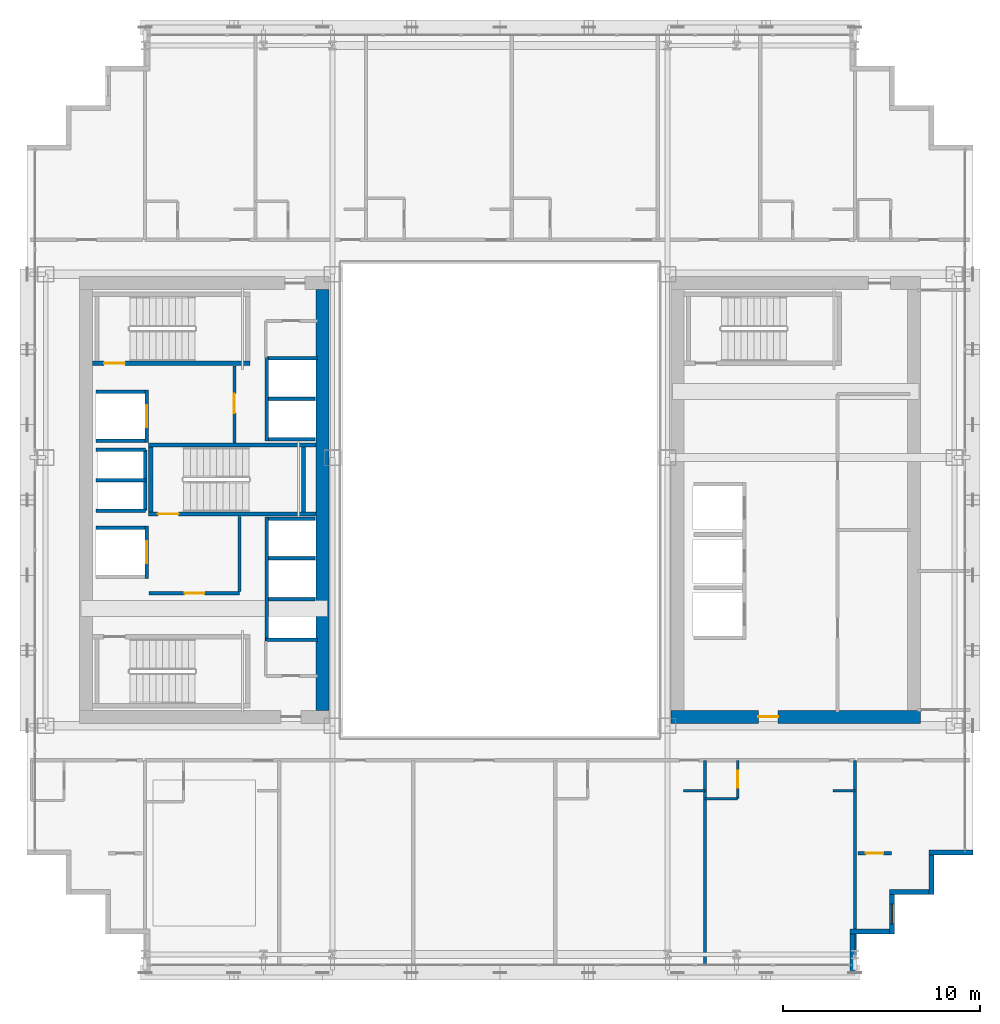
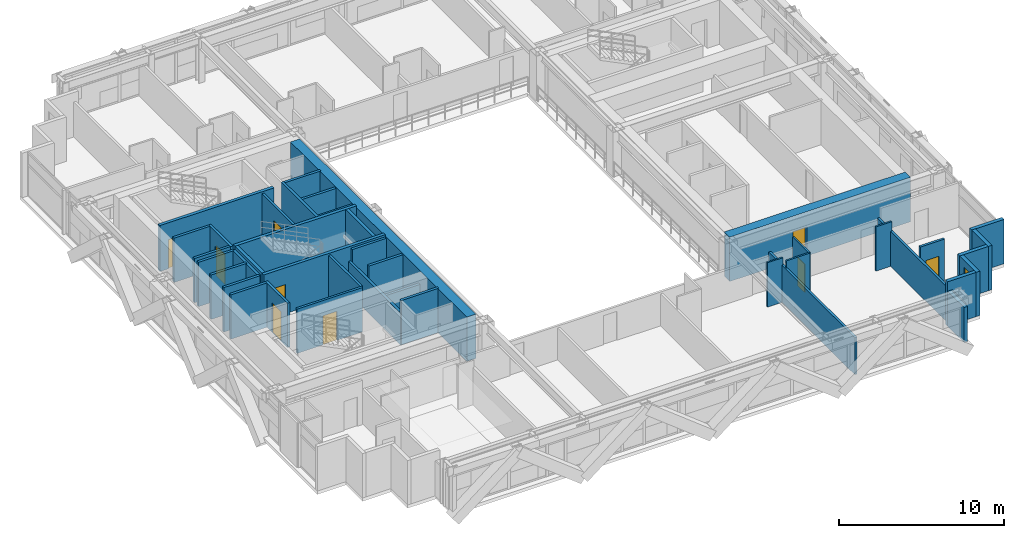
# One storey, part 29 of 36: 41 walls, 9 doors, 1 window, 10 openings.
"""IFC4 building model written with IfcOpenShell, lengths in metres."""

from ifc_helpers import new_model, si_unit, direction, frame, frame_2d, origin, place, context, subcontext, project, spatial, rectangle, extrude, source, transform, mapped, material, layer, layer_set, type_object, element, fill, save


model = new_model("IFC4")

# Units and contexts
model_context = context("Model", 3, precision=1e-05, world=origin(), true_north=direction((0.0, 1.0)))
body_context = subcontext(model_context, "Body", "Model", "MODEL_VIEW")
ifc_project = project(units=[si_unit("LENGTHUNIT", "METRE"), si_unit("AREAUNIT", "SQUARE_METRE"), si_unit("VOLUMEUNIT", "CUBIC_METRE"), si_unit("PLANEANGLEUNIT", "RADIAN"), si_unit("MASSUNIT", "GRAM", prefix="KILO")], contexts=[model_context])

# Site, building, storey
site_placement = place(None, origin())
site = spatial("IfcSite", under=ifc_project, at=site_placement, CompositionType="ELEMENT")
building_placement = place(site_placement, origin())
building = spatial("IfcBuilding", under=site, at=building_placement, Name="Ocotamira Hotel", CompositionType="ELEMENT")
storey_placement = place(building_placement, frame((0.0, 0.0, 147.60009765625)))
storey = spatial("IfcBuildingStorey", under=building, at=storey_placement, Name="L37", CompositionType="ELEMENT", Elevation=147.60009765625)

# Wall
ifc_material_1 = material(Name="Concrete C60/75", Category="concrete")
ifc_layer_1 = layer(ifc_material_1, 0.64990234375)
ifc_layer_set_1 = layer_set([ifc_layer_1], Name="Concrete C60/75")
wall_type_1 = type_object("IfcWallType", Name="WL-CORE-650", PredefinedType="SHEAR", material=ifc_layer_set_1)
wall_1_placement = place(storey_placement, frame((23.0, 15.324951171875, 0.0), z_axis=(0.0, 0.0, 1.0), x_axis=(0.0, 1.0, 0.0)))
element("IfcWall", 1, at=wall_1_placement, inside=storey, type_object=wall_type_1, Name="L37 Shear Core Wall WCORE-E", PredefinedType="SHEAR", context=body_context, shape_type="SweptSolid", body=[
    extrude(rectangle(XDim=21.35009765625, YDim=0.64990234375, at=frame_2d((10.675048828125, 0.0))), origin(), (0.0, 0.0, 1.0), 3.27978515625),
])

# Wall, opening, door
wall_2_placement = place(storey_placement, frame((40.675048828125, 15.0, 0.0), z_axis=(0.0, 0.0, 1.0), x_axis=(1.0, 0.0, 0.0)))
wall_2 = element("IfcWall", 2, at=wall_2_placement, inside=storey, type_object=wall_type_1, Name="L37 Shear Core Wall ECORE-S", PredefinedType="SHEAR", context=body_context, shape_type="SweptSolid", body=[
    extrude(rectangle(XDim=12.64990234375, YDim=0.64990234375, at=frame_2d((6.324951171875, 0.0))), origin(), (0.0, 0.0, 1.0), 3.27978515625),
])
opening_1_placement = place(wall_2_placement, frame((4.425048828125, 0.0, 0.0)))
opening_1 = element("IfcOpeningElement", 3, at=opening_1_placement, cuts=wall_2, Name="Opening D-FR2", PredefinedType="OPENING", context=body_context, shape_type="SweptSolid", body=[
    extrude(rectangle(XDim=1.0, YDim=2.14990234375, at=frame_2d((0.5, 1.074951171875))), frame((0.0, 0.3349609375, 0.0), z_axis=(0.0, -1.0, 0.0), x_axis=(1.0, 0.0, 0.0)), (0.0, 0.0, 1.0), 0.669921875),
])
ifc_material_2 = material(Name="Fire-rated acoustic timber-veneer door", Category="wood")
door_type_1 = type_object("IfcDoorType", Name="DR-FIRE-1000", OperationType="NOTDEFINED", PredefinedType="DOOR", material=ifc_material_2)
shared_shape_1 = source(origin(), body_context, "Body", "SweptSolid", [
    extrude(rectangle(XDim=1.0, YDim=2.14990234375, at=frame_2d((0.5, 1.074951171875))), frame((0.0, 0.02490234375, 0.0), z_axis=(0.0, -1.0, 0.0), x_axis=(1.0, 0.0, 0.0)), (0.0, 0.0, 1.0), 0.050048828125),
])
door_1_placement = place(opening_1_placement, origin())
door_1 = element("IfcDoor", 4, at=door_1_placement, inside=storey, type_object=door_type_1, Name="L37 Door ID-L37-ELOB-S-D [ID-L37-ELOB-S-D]", OperationType="SINGLE_SWING_RIGHT", OverallHeight=2.14990234375, OverallWidth=1.0, PredefinedType="DOOR", context=body_context, shape_type="MappedRepresentation", body=[
    mapped(shared_shape_1, transform((0.0, 0.0, 0.0), scale=1.0)),
])
fill(opening_1, door_1)

# Walls
ifc_material_3 = material(Name="Precast concrete C45/55", Category="concrete")
ifc_layer_2 = layer(ifc_material_3, 0.25)
ifc_layer_set_2 = layer_set([ifc_layer_2], Name="Precast concrete C45/55")
wall_type_2 = type_object("IfcWallType", Name="WL-EXT-SER-250", PredefinedType="SOLIDWALL", material=ifc_layer_set_2)
wall_3_placement = place(storey_placement, frame((49.875, 2.0, 0.0), z_axis=(0.0, 0.0, 1.0), x_axis=(0.0, 1.0, 0.0)))
element("IfcWall", 5, at=wall_3_placement, inside=storey, type_object=wall_type_2, Name="L37 Serrated Corner Wall 01", PredefinedType="SOLIDWALL", context=body_context, shape_type="SweptSolid", body=[
    extrude(rectangle(XDim=2.0, YDim=0.25, at=frame_2d((1.0, 0.0))), origin(), (0.0, 0.0, 1.0), 2.5869140625),
])
wall_4_placement = place(storey_placement, frame((49.75, 4.125, 0.0), z_axis=(0.0, 0.0, 1.0), x_axis=(1.0, 0.0, 0.0)))
element("IfcWall", 6, at=wall_4_placement, inside=storey, type_object=wall_type_2, Name="L37 Serrated Corner Wall 02", PredefinedType="SOLIDWALL", context=body_context, shape_type="SweptSolid", body=[
    extrude(rectangle(XDim=2.0, YDim=0.25, at=frame_2d((1.0, 0.0))), origin(), (0.0, 0.0, 1.0), 3.27978515625),
])

# Wall, opening, window
wall_5_placement = place(storey_placement, frame((51.875, 4.0, 0.0), z_axis=(0.0, 0.0, 1.0), x_axis=(0.0, 1.0, 0.0)))
wall_5 = element("IfcWall", 7, at=wall_5_placement, inside=storey, type_object=wall_type_2, Name="L37 Serrated Corner Wall 03", PredefinedType="SOLIDWALL", context=body_context, shape_type="SweptSolid", body=[
    extrude(rectangle(XDim=2.0, YDim=0.25, at=frame_2d((1.0, 0.0))), origin(), (0.0, 0.0, 1.0), 3.27978515625),
])
opening_2_placement = place(wall_5_placement, frame((0.5, 0.0, 0.85009765625)))
opening_2 = element("IfcOpeningElement", 8, at=opening_2_placement, cuts=wall_5, Name="Opening WN-2", PredefinedType="OPENING", context=body_context, shape_type="SweptSolid", body=[
    extrude(rectangle(XDim=1.0, YDim=1.89990234375, at=frame_2d((0.5, 0.949951171875))), frame((0.0, 0.135009765625, 0.0), z_axis=(0.0, -1.0, 0.0), x_axis=(1.0, 0.0, 0.0)), (0.0, 0.0, 1.0), 0.27001953125),
])
ifc_material_4 = material(Name="Double-silver low-E solar glass", Category="glass")
window_type = type_object("IfcWindowType", Name="WIN-SER-1100", PartitioningType="SINGLE_PANEL", PredefinedType="WINDOW", material=ifc_material_4)
shared_shape_2 = source(origin(), body_context, "Body", "SweptSolid", [
    extrude(rectangle(XDim=1.0, YDim=1.89990234375, at=frame_2d((0.5, 0.949951171875))), frame((0.0, 0.030029296875, 0.0), z_axis=(0.0, -1.0, 0.0), x_axis=(1.0, 0.0, 0.0)), (0.0, 0.0, 1.0), 0.06005859375),
])
window_placement = place(opening_2_placement, origin())
window = element("IfcWindow", 9, at=window_placement, inside=storey, type_object=window_type, Name="L37 Serrated Corner Window 03", OverallHeight=1.89990234375, OverallWidth=1.0, PartitioningType="SINGLE_PANEL", PredefinedType="WINDOW", context=body_context, shape_type="MappedRepresentation", body=[
    mapped(shared_shape_2, transform((0.0, 0.0, 0.0), scale=1.0)),
])
fill(opening_2, window)

# Walls
for number, where, z_axis, x_axis, name in (
    (10, (51.75, 6.125, 0.0), (0.0, 0.0, 1.0), (1.0, 0.0, 0.0), "L37 Serrated Corner Wall 04"),
    (11, (53.875, 6.0, 0.0), (0.0, 0.0, 1.0), (0.0, 1.0, 0.0), "L37 Serrated Corner Wall 05"),
):
    element("IfcWall", number, at=place(storey_placement, frame(where, z_axis=z_axis, x_axis=x_axis)), inside=storey, type_object=wall_type_2, Name=name, PredefinedType="SOLIDWALL", context=body_context, shape_type="SweptSolid", body=[
        extrude(rectangle(XDim=2.0, YDim=0.25, at=frame_2d((1.0, 0.0))), origin(), (0.0, 0.0, 1.0), 3.27978515625),
    ])
wall_6_placement = place(storey_placement, frame((53.75, 8.125, 0.0), z_axis=(0.0, 0.0, 1.0), x_axis=(1.0, 0.0, 0.0)))
element("IfcWall", 12, at=wall_6_placement, inside=storey, type_object=wall_type_2, Name="L37 Serrated Corner Wall 06", PredefinedType="SOLIDWALL", context=body_context, shape_type="SweptSolid", body=[
    extrude(rectangle(XDim=2.25, YDim=0.25, at=frame_2d((1.125, 0.0))), origin(), (0.0, 0.0, 1.0), 3.27978515625),
])

# Wall, opening, door
ifc_material_5 = material(Name="Acoustic double-layer fire gypsum board partition", Category="gypsum")
ifc_layer_3 = layer(ifc_material_5, 0.159912109375)
ifc_layer_set_3 = layer_set([ifc_layer_3], Name="Acoustic double-layer fire gypsum board partition")
wall_type_3 = type_object("IfcWallType", Name="WL-FIRE-160", PredefinedType="PARTITIONING", material=ifc_layer_set_3)
wall_7_placement = place(storey_placement, frame((14.199951171875, 21.27001953125, 0.0), z_axis=(0.0, 0.0, 1.0), x_axis=(1.0, 0.0, 0.0)))
wall_7 = element("IfcWall", 13, at=wall_7_placement, inside=storey, type_object=wall_type_3, Name="L37 Interior Wall PW-L37-FSAE1-S", PredefinedType="PARTITIONING", context=body_context, shape_type="SweptSolid", body=[
    extrude(rectangle(XDim=4.580078125, YDim=0.159912109375, at=frame_2d((2.2900390625, 0.0))), origin(), (0.0, 0.0, 1.0), 3.27978515625),
])
opening_3_placement = place(wall_7_placement, frame((1.800048828125, 0.0, 0.0)))
opening_3 = element("IfcOpeningElement", 14, at=opening_3_placement, cuts=wall_7, Name="Opening D-FR2", PredefinedType="OPENING", context=body_context, shape_type="SweptSolid", body=[
    extrude(rectangle(XDim=1.0, YDim=2.14990234375, at=frame_2d((0.5, 1.074951171875))), frame((0.0, 0.08984375, 0.0), z_axis=(0.0, -1.0, 0.0), x_axis=(1.0, 0.0, 0.0)), (0.0, 0.0, 1.0), 0.179931640625),
])
door_2_placement = place(opening_3_placement, origin())
door_2 = element("IfcDoor", 15, at=door_2_placement, inside=storey, type_object=door_type_1, Name="L37 Door ID-L37-FSAE1-D [ID-L37-FSAE1-D]", OperationType="SINGLE_SWING_LEFT", OverallHeight=2.14990234375, OverallWidth=1.0, PredefinedType="DOOR", context=body_context, shape_type="MappedRepresentation", body=[
    mapped(shared_shape_1, transform((0.0, 0.0, 0.0), scale=1.0)),
])
fill(opening_3, door_2)

# Wall
wall_8_placement = place(storey_placement, frame((18.780029296875, 21.35009765625, 0.0), z_axis=(0.0, 0.0, 1.0), x_axis=(0.0, 1.0, 0.0)))
element("IfcWall", 16, at=wall_8_placement, inside=storey, type_object=wall_type_3, Name="L37 Interior Wall PW-L37-FSAE1-E", PredefinedType="PARTITIONING", context=body_context, shape_type="SweptSolid", body=[
    extrude(rectangle(XDim=3.809814453125, YDim=0.159912109375, at=frame_2d((1.90478515625, 0.0))), origin(), (0.0, 0.0, 1.0), 3.27978515625),
])

# Wall, opening, door
wall_9_placement = place(storey_placement, frame((18.530029296875, 28.89990234375, 0.0), z_axis=(0.0, 0.0, 1.0), x_axis=(0.0, 1.0, 0.0)))
wall_9 = element("IfcWall", 17, at=wall_9_placement, inside=storey, type_object=wall_type_3, Name="L37 Interior Wall PW-L37-FSAE2-E", PredefinedType="PARTITIONING", context=body_context, shape_type="SweptSolid", body=[
    extrude(rectangle(XDim=3.900146484375, YDim=0.159912109375, at=frame_2d((1.9501953125, 0.0))), origin(), (0.0, 0.0, 1.0), 3.27978515625),
])
opening_4_placement = place(wall_9_placement, frame((1.5, 0.0, 0.0)))
opening_4 = element("IfcOpeningElement", 18, at=opening_4_placement, cuts=wall_9, Name="Opening D-FR2", PredefinedType="OPENING", context=body_context, shape_type="SweptSolid", body=[
    extrude(rectangle(XDim=1.0, YDim=2.14990234375, at=frame_2d((0.5, 1.074951171875))), frame((0.0, 0.08984375, 0.0), z_axis=(0.0, -1.0, 0.0), x_axis=(1.0, 0.0, 0.0)), (0.0, 0.0, 1.0), 0.179931640625),
])
door_3_placement = place(opening_4_placement, origin())
door_3 = element("IfcDoor", 19, at=door_3_placement, inside=storey, type_object=door_type_1, Name="L37 Door ID-L37-FSAE2-D [ID-L37-FSAE2-D]", OperationType="SINGLE_SWING_RIGHT", OverallHeight=2.14990234375, OverallWidth=1.0, PredefinedType="DOOR", context=body_context, shape_type="MappedRepresentation", body=[
    mapped(shared_shape_1, transform((0.0, 0.0, 0.0), scale=1.0)),
])
fill(opening_4, door_3)

wall_10_placement = place(storey_placement, frame((50.14990234375, 8.080078125, 0.0), z_axis=(0.0, 0.0, 1.0), x_axis=(1.0, 0.0, 0.0)))
wall_10 = element("IfcWall", 20, at=wall_10_placement, inside=storey, type_object=wall_type_3, Name="L37 Interior Wall PW-L37-Z2E-CSE2-CW", PredefinedType="PARTITIONING", context=body_context, shape_type="SweptSolid", body=[
    extrude(rectangle(XDim=1.7001953125, YDim=0.159912109375, at=frame_2d((0.85009765625, 0.0))), origin(), (0.0, 0.0, 1.0), 3.27978515625),
])
opening_5_placement = place(wall_10_placement, frame((0.409912109375, 0.0, 0.0)))
opening_5 = element("IfcOpeningElement", 21, at=opening_5_placement, cuts=wall_10, Name="Opening D-SV2", PredefinedType="OPENING", context=body_context, shape_type="SweptSolid", body=[
    extrude(rectangle(XDim=0.8798828125, YDim=2.14990234375, at=frame_2d((0.43994140625, 1.074951171875))), frame((0.0, 0.08984375, 0.0), z_axis=(0.0, -1.0, 0.0), x_axis=(1.0, 0.0, 0.0)), (0.0, 0.0, 1.0), 0.179931640625),
])
ifc_material_6 = material(Name="Fire-rated painted steel service door", Category="steel")
door_type_2 = type_object("IfcDoorType", Name="DR-SERV-880", OperationType="NOTDEFINED", PredefinedType="DOOR", material=ifc_material_6)
shared_shape_3 = source(origin(), body_context, "Body", "SweptSolid", [
    extrude(rectangle(XDim=0.8798828125, YDim=2.14990234375, at=frame_2d((0.43994140625, 1.074951171875))), frame((0.0, 0.02490234375, 0.0), z_axis=(0.0, -1.0, 0.0), x_axis=(1.0, 0.0, 0.0)), (0.0, 0.0, 1.0), 0.050048828125),
])
door_4_placement = place(opening_5_placement, origin())
door_4 = element("IfcDoor", 22, at=door_4_placement, inside=storey, type_object=door_type_2, Name="L37 Door ID-L37-Z2E-CSE2-CD [ID-L37-Z2E-CSE2-CD]", OperationType="SINGLE_SWING_LEFT", OverallHeight=2.14990234375, OverallWidth=0.8798828125, PredefinedType="DOOR", context=body_context, shape_type="MappedRepresentation", body=[
    mapped(shared_shape_3, transform((0.0, 0.0, 0.0), scale=1.0)),
])
fill(opening_5, door_4)

# Wall
ifc_material_7 = material(Name="Moisture-resistant en-suite tile and gypsum partition", Category="gypsum")
ifc_layer_4 = layer(ifc_material_7, 0.1201171875)
ifc_layer_set_4 = layer_set([ifc_layer_4], Name="Moisture-resistant en-suite tile and gypsum partition")
wall_type_4 = type_object("IfcWallType", Name="WL-PART-120", PredefinedType="PARTITIONING", material=ifc_layer_set_4)
wall_11_placement = place(storey_placement, frame((41.300048828125, 11.25, 0.0), z_axis=(0.0, 0.0, 1.0), x_axis=(1.0, 0.0, 0.0)))
element("IfcWall", 23, at=wall_11_placement, inside=storey, type_object=wall_type_4, Name="L37 Interior Wall PW-L37-Z2ES-DRN4", PredefinedType="PARTITIONING", context=body_context, shape_type="SweptSolid", body=[
    extrude(rectangle(XDim=1.099853515625, YDim=0.1201171875, at=frame_2d((0.5498046875, 0.0))), origin(), (0.0, 0.0, 1.0), 3.27978515625),
])

# Wall, opening, door
wall_12_placement = place(storey_placement, frame((44.050048828125, 10.85009765625, 0.0), z_axis=(0.0, 0.0, 1.0), x_axis=(0.0, 1.0, 0.0)))
wall_12 = element("IfcWall", 24, at=wall_12_placement, inside=storey, type_object=wall_type_4, Name="L37 Interior Wall PW-L37-Z2ES-BAE5", PredefinedType="PARTITIONING", context=body_context, shape_type="SweptSolid", body=[
    extrude(rectangle(XDim=1.949951171875, YDim=0.1201171875, at=frame_2d((0.97509765625, 0.0))), origin(), (0.0, 0.0, 1.0), 3.27978515625),
])
opening_6_placement = place(wall_12_placement, frame((0.544921875, 0.0, 0.0)))
opening_6 = element("IfcOpeningElement", 25, at=opening_6_placement, cuts=wall_12, Name="Opening D-BA1", PredefinedType="OPENING", context=body_context, shape_type="SweptSolid", body=[
    extrude(rectangle(XDim=0.860107421875, YDim=2.10009765625, at=frame_2d((0.43017578125, 1.050048828125))), frame((0.0, 0.070068359375, 0.0), z_axis=(0.0, -1.0, 0.0), x_axis=(1.0, 0.0, 0.0)), (0.0, 0.0, 1.0), 0.14013671875),
])
ifc_material_8 = material(Name="Moisture-sealed en-suite timber door", Category="wood")
door_type_3 = type_object("IfcDoorType", Name="DR-BATH-860", OperationType="NOTDEFINED", PredefinedType="DOOR", material=ifc_material_8)
shared_shape_4 = source(origin(), body_context, "Body", "SweptSolid", [
    extrude(rectangle(XDim=0.860107421875, YDim=2.10009765625, at=frame_2d((0.43017578125, 1.050048828125))), frame((0.0, 0.02490234375, 0.0), z_axis=(0.0, -1.0, 0.0), x_axis=(1.0, 0.0, 0.0)), (0.0, 0.0, 1.0), 0.050048828125),
])
door_5_placement = place(opening_6_placement, origin())
door_5 = element("IfcDoor", 26, at=door_5_placement, inside=storey, type_object=door_type_3, Name="L37 Door ID-L37-Z2ES-BAD5 [ID-L37-Z2ES-BAD5]", OperationType="SINGLE_SWING_RIGHT", OverallHeight=2.10009765625, OverallWidth=0.860107421875, PredefinedType="DOOR", context=body_context, shape_type="MappedRepresentation", body=[
    mapped(shared_shape_4, transform((0.0, 0.0, 0.0), scale=1.0)),
])
fill(opening_6, door_5)

# Walls
wall_13_placement = place(storey_placement, frame((42.39990234375, 10.85009765625, 0.0), z_axis=(0.0, 0.0, 1.0), x_axis=(1.0, 0.0, 0.0)))
element("IfcWall", 27, at=wall_13_placement, inside=storey, type_object=wall_type_4, Name="L37 Interior Wall PW-L37-Z2ES-BAS5", PredefinedType="PARTITIONING", context=body_context, shape_type="SweptSolid", body=[
    extrude(rectangle(XDim=1.650146484375, YDim=0.1201171875, at=frame_2d((0.8251953125, 0.0))), origin(), (0.0, 0.0, 1.0), 3.27978515625),
])
wall_14_placement = place(storey_placement, frame((48.89990234375, 11.25, 0.0), z_axis=(0.0, 0.0, 1.0), x_axis=(1.0, 0.0, 0.0)))
element("IfcWall", 28, at=wall_14_placement, inside=storey, type_object=wall_type_4, Name="L37 Interior Wall PW-L37-Z2ES-DRN5", PredefinedType="PARTITIONING", context=body_context, shape_type="SweptSolid", body=[
    extrude(rectangle(XDim=1.10009765625, YDim=0.1201171875, at=frame_2d((0.550048828125, 0.0))), origin(), (0.0, 0.0, 1.0), 3.27978515625),
])
ifc_material_9 = material(Name="Acoustic double-stud hospitality gypsum partition", Category="gypsum")
ifc_layer_5 = layer(ifc_material_9, 0.159912109375)
ifc_layer_set_5 = layer_set([ifc_layer_5], Name="Acoustic double-stud hospitality gypsum partition")
wall_type_5 = type_object("IfcWallType", Name="WL-PART-160", PredefinedType="PARTITIONING", material=ifc_layer_set_5)
wall_15_placement = place(storey_placement, frame((50.0, 2.360107421875, 0.0), z_axis=(0.0, 0.0, 1.0), x_axis=(0.0, 1.0, 0.0)))
element("IfcWall", 29, at=wall_15_placement, inside=storey, type_object=wall_type_5, Name="L37 Interior Wall PW-L37-Z2ES-PWEND", PredefinedType="PARTITIONING", context=body_context, shape_type="SweptSolid", body=[
    extrude(rectangle(XDim=10.43994140625, YDim=0.159912109375, at=frame_2d((5.219970703125, 0.0))), origin(), (0.0, 0.0, 1.0), 2.5869140625),
])
wall_16_placement = place(storey_placement, frame((42.39990234375, 2.360107421875, 0.0), z_axis=(0.0, 0.0, 1.0), x_axis=(0.0, 1.0, 0.0)))
element("IfcWall", 30, at=wall_16_placement, inside=storey, type_object=wall_type_5, Name="L37 Interior Wall PW-L37-Z2ES-PW4", PredefinedType="PARTITIONING", context=body_context, shape_type="SweptSolid", body=[
    extrude(rectangle(XDim=10.43994140625, YDim=0.159912109375, at=frame_2d((5.219970703125, 0.0))), origin(), (0.0, 0.0, 1.0), 2.742919921875),
])
ifc_material_10 = material(Name="Fire-rated gypsum shaftliner board assembly", Category="gypsum")
ifc_layer_6 = layer(ifc_material_10, 0.179931640625)
ifc_layer_set_6 = layer_set([ifc_layer_6], Name="Fire-rated gypsum shaftliner board assembly")
wall_type_6 = type_object("IfcWallType", Name="WL-SHAFT-180", PredefinedType="SOLIDWALL", material=ifc_layer_set_6)
wall_17_placement = place(storey_placement, frame((20.159912109375, 18.820068359375, 0.0), z_axis=(0.0, 0.0, 1.0), x_axis=(0.0, 1.0, 0.0)))
element("IfcWall", 31, at=wall_17_placement, inside=storey, type_object=wall_type_6, Name="L37 Interior Wall PW-L37-LFW-BANK-high-F", PredefinedType="SOLIDWALL", context=body_context, shape_type="SweptSolid", body=[
    extrude(rectangle(XDim=6.31982421875, YDim=0.179931640625, at=frame_2d((3.159912109375, 0.0))), origin(), (0.0, 0.0, 1.0), 2.35986328125),
])
wall_18_placement = place(storey_placement, frame((20.1201171875, 18.909912109375, 0.0), z_axis=(0.0, 0.0, 1.0), x_axis=(1.0, 0.0, 0.0)))
element("IfcWall", 32, at=wall_18_placement, inside=storey, type_object=wall_type_6, Name="L37 Interior Wall PW-L37-LFW-BANK-high-S", PredefinedType="SOLIDWALL", context=body_context, shape_type="SweptSolid", body=[
    extrude(rectangle(XDim=2.6298828125, YDim=0.179931640625, at=frame_2d((1.31494140625, 0.0))), origin(), (0.0, 0.0, 1.0), 3.27978515625),
])
wall_19_placement = place(storey_placement, frame((20.25, 25.050048828125, 0.0), z_axis=(0.0, 0.0, 1.0), x_axis=(1.0, 0.0, 0.0)))
element("IfcWall", 33, at=wall_19_placement, inside=storey, type_object=wall_type_6, Name="L37 Interior Wall PW-L37-LFW-BANK-high-N", PredefinedType="SOLIDWALL", context=body_context, shape_type="SweptSolid", body=[
    extrude(rectangle(XDim=2.360107421875, YDim=0.179931640625, at=frame_2d((1.18017578125, 0.0))), origin(), (0.0, 0.0, 1.0), 3.27978515625),
])
wall_20_placement = place(storey_placement, frame((20.25, 20.965087890625, 0.0), z_axis=(0.0, 0.0, 1.0), x_axis=(1.0, 0.0, 0.0)))
element("IfcWall", 34, at=wall_20_placement, inside=storey, type_object=wall_type_6, Name="L37 Interior Wall PW-L37-LFW-DIV-LF-P7", PredefinedType="SOLIDWALL", context=body_context, shape_type="SweptSolid", body=[
    extrude(rectangle(XDim=2.360107421875, YDim=0.179931640625, at=frame_2d((1.18017578125, 0.0))), origin(), (0.0, 0.0, 1.0), 2.35986328125),
])
wall_21_placement = place(storey_placement, frame((20.25, 23.044921875, 0.0), z_axis=(0.0, 0.0, 1.0), x_axis=(1.0, 0.0, 0.0)))
element("IfcWall", 35, at=wall_21_placement, inside=storey, type_object=wall_type_6, Name="L37 Interior Wall PW-L37-LFW-DIV-LF-P8", PredefinedType="SOLIDWALL", context=body_context, shape_type="SweptSolid", body=[
    extrude(rectangle(XDim=2.360107421875, YDim=0.179931640625, at=frame_2d((1.18017578125, 0.0))), origin(), (0.0, 0.0, 1.0), 3.27978515625),
])
wall_22_placement = place(storey_placement, frame((20.159912109375, 29.0, 0.0), z_axis=(0.0, 0.0, 1.0), x_axis=(0.0, 1.0, 0.0)))
element("IfcWall", 36, at=wall_22_placement, inside=storey, type_object=wall_type_6, Name="L37 Interior Wall PW-L37-LFW-BANK-obs-F", PredefinedType="SOLIDWALL", context=body_context, shape_type="SweptSolid", body=[
    extrude(rectangle(XDim=4.2900390625, YDim=0.179931640625, at=frame_2d((2.14501953125, 0.0))), origin(), (0.0, 0.0, 1.0), 3.27978515625),
])
wall_23_placement = place(storey_placement, frame((20.25, 29.090087890625, 0.0), z_axis=(0.0, 0.0, 1.0), x_axis=(1.0, 0.0, 0.0)))
element("IfcWall", 37, at=wall_23_placement, inside=storey, type_object=wall_type_6, Name="L37 Interior Wall PW-L37-LFW-BANK-obs-S", PredefinedType="SOLIDWALL", context=body_context, shape_type="SweptSolid", body=[
    extrude(rectangle(XDim=2.360107421875, YDim=0.179931640625, at=frame_2d((1.18017578125, 0.0))), origin(), (0.0, 0.0, 1.0), 3.27978515625),
])
wall_24_placement = place(storey_placement, frame((20.25, 33.199951171875, 0.0), z_axis=(0.0, 0.0, 1.0), x_axis=(1.0, 0.0, 0.0)))
element("IfcWall", 38, at=wall_24_placement, inside=storey, type_object=wall_type_6, Name="L37 Interior Wall PW-L37-LFW-BANK-obs-N", PredefinedType="SOLIDWALL", context=body_context, shape_type="SweptSolid", body=[
    extrude(rectangle(XDim=2.5, YDim=0.179931640625, at=frame_2d((1.25, 0.0))), origin(), (0.0, 0.0, 1.0), 3.27978515625),
])
wall_25_placement = place(storey_placement, frame((20.25, 31.14501953125, 0.0), z_axis=(0.0, 0.0, 1.0), x_axis=(1.0, 0.0, 0.0)))
element("IfcWall", 39, at=wall_25_placement, inside=storey, type_object=wall_type_6, Name="L37 Interior Wall PW-L37-LFW-DIV-LF-OBS1", PredefinedType="SOLIDWALL", context=body_context, shape_type="SweptSolid", body=[
    extrude(rectangle(XDim=2.360107421875, YDim=0.179931640625, at=frame_2d((1.18017578125, 0.0))), origin(), (0.0, 0.0, 1.0), 3.27978515625),
])
wall_26_placement = place(storey_placement, frame((11.5, 24.590087890625, 0.0), z_axis=(0.0, 0.0, 1.0), x_axis=(1.0, 0.0, 0.0)))
element("IfcWall", 40, at=wall_26_placement, inside=storey, type_object=wall_type_6, Name="L37 Interior Wall PW-L37-LFW-LF-FSAE1-N", PredefinedType="SOLIDWALL", context=body_context, shape_type="SweptSolid", body=[
    extrude(rectangle(XDim=2.5, YDim=0.179931640625, at=frame_2d((1.25, 0.0))), origin(), (0.0, 0.0, 1.0), 3.27978515625),
])

# Wall, opening, door
wall_27_placement = place(storey_placement, frame((14.090087890625, 22.02001953125, 0.0), z_axis=(0.0, 0.0, 1.0), x_axis=(0.0, 1.0, 0.0)))
wall_27 = element("IfcWall", 41, at=wall_27_placement, inside=storey, type_object=wall_type_6, Name="L37 Interior Wall PW-L37-LFW-LF-FSAE1-E", PredefinedType="SOLIDWALL", context=body_context, shape_type="SweptSolid", body=[
    extrude(rectangle(XDim=2.659912109375, YDim=0.179931640625, at=frame_2d((1.330078125, 0.0))), origin(), (0.0, 0.0, 1.0), 3.27978515625),
])
opening_7_placement = place(wall_27_placement, frame((0.780029296875, 0.0, 0.0)))
opening_7 = element("IfcOpeningElement", 42, at=opening_7_placement, cuts=wall_27, Name="Opening LD-LF-FSAE1", PredefinedType="OPENING", context=body_context, shape_type="SweptSolid", body=[
    extrude(rectangle(XDim=1.10009765625, YDim=2.199951171875, at=frame_2d((0.550048828125, 1.10009765625))), frame((0.0, 0.10009765625, 0.0), z_axis=(0.0, -1.0, 0.0), x_axis=(1.0, 0.0, 0.0)), (0.0, 0.0, 1.0), 0.199951171875),
])
ifc_material_11 = material(Name="Brushed pale-metal stainless elevator landing door", Category="steel")
door_type_4 = type_object("IfcDoorType", Name="DR-LIFT-1100", OperationType="NOTDEFINED", PredefinedType="DOOR", material=ifc_material_11)
shared_shape_5 = source(origin(), body_context, "Body", "SweptSolid", [
    extrude(rectangle(XDim=1.10009765625, YDim=2.199951171875, at=frame_2d((0.550048828125, 1.10009765625))), frame((0.0, 0.02490234375, 0.0), z_axis=(0.0, -1.0, 0.0), x_axis=(1.0, 0.0, 0.0)), (0.0, 0.0, 1.0), 0.050048828125),
])
door_6_placement = place(opening_7_placement, origin())
door_6 = element("IfcDoor", 43, at=door_6_placement, inside=storey, type_object=door_type_4, Name="L37 Landing Door LD-LF-FSAE1 [ID-L37-LD-LF-FSAE1]", OperationType="DOUBLE_DOOR_SLIDING", OverallHeight=2.199951171875, OverallWidth=1.10009765625, PredefinedType="DOOR", context=body_context, shape_type="MappedRepresentation", body=[
    mapped(shared_shape_5, transform((0.0, 0.0, 0.0), scale=1.0)),
])
fill(opening_7, door_6)

# Walls
for number, where, z_axis, x_axis, name in (
    (44, (11.5, 29.010009765625, 0.0), (0.0, 0.0, 1.0), (1.0, 0.0, 0.0), "L37 Interior Wall PW-L37-LFW-LF-FSAE2-S"),
    (45, (11.5, 31.489990234375, 0.0), (0.0, 0.0, 1.0), (1.0, 0.0, 0.0), "L37 Interior Wall PW-L37-LFW-LF-FSAE2-N"),
):
    element("IfcWall", number, at=place(storey_placement, frame(where, z_axis=z_axis, x_axis=x_axis)), inside=storey, type_object=wall_type_6, Name=name, PredefinedType="SOLIDWALL", context=body_context, shape_type="SweptSolid", body=[
        extrude(rectangle(XDim=2.5, YDim=0.179931640625, at=frame_2d((1.25, 0.0))), origin(), (0.0, 0.0, 1.0), 3.27978515625),
    ])

# Wall, opening, door
wall_28_placement = place(storey_placement, frame((14.090087890625, 28.919921875, 0.0), z_axis=(0.0, 0.0, 1.0), x_axis=(0.0, 1.0, 0.0)))
wall_28 = element("IfcWall", 46, at=wall_28_placement, inside=storey, type_object=wall_type_6, Name="L37 Interior Wall PW-L37-LFW-LF-FSAE2-E", PredefinedType="SOLIDWALL", context=body_context, shape_type="SweptSolid", body=[
    extrude(rectangle(XDim=2.66015625, YDim=0.179931640625, at=frame_2d((1.330078125, 0.0))), origin(), (0.0, 0.0, 1.0), 3.27978515625),
])
opening_8_placement = place(wall_28_placement, frame((0.780029296875, 0.0, 0.0)))
opening_8 = element("IfcOpeningElement", 47, at=opening_8_placement, cuts=wall_28, Name="Opening LD-LF-FSAE2", PredefinedType="OPENING", context=body_context, shape_type="SweptSolid", body=[
    extrude(rectangle(XDim=1.10009765625, YDim=2.199951171875, at=frame_2d((0.550048828125, 1.10009765625))), frame((0.0, 0.10009765625, 0.0), z_axis=(0.0, -1.0, 0.0), x_axis=(1.0, 0.0, 0.0)), (0.0, 0.0, 1.0), 0.199951171875),
])
door_7_placement = place(opening_8_placement, origin())
door_7 = element("IfcDoor", 48, at=door_7_placement, inside=storey, type_object=door_type_4, Name="L37 Landing Door LD-LF-FSAE2 [ID-L37-LD-LF-FSAE2]", OperationType="DOUBLE_DOOR_SLIDING", OverallHeight=2.199951171875, OverallWidth=1.10009765625, PredefinedType="DOOR", context=body_context, shape_type="MappedRepresentation", body=[
    mapped(shared_shape_5, transform((0.0, 0.0, 0.0), scale=1.0)),
])
fill(opening_8, door_7)

# Walls
for number, where, z_axis, x_axis, name in (
    (49, (11.5, 25.4599609375, 0.0), (0.0, 0.0, 1.0), (1.0, 0.0, 0.0), "L37 Interior Wall PW-L37-RSW-S"),
    (50, (11.5, 27.0, 0.0), (0.0, 0.0, 1.0), (1.0, 0.0, 0.0), "L37 Interior Wall PW-L37-RSW-MID"),
    (51, (11.5, 28.5400390625, 0.0), (0.0, 0.0, 1.0), (1.0, 0.0, 0.0), "L37 Interior Wall PW-L37-RSW-N"),
):
    element("IfcWall", number, at=place(storey_placement, frame(where, z_axis=z_axis, x_axis=x_axis)), inside=storey, type_object=wall_type_6, Name=name, PredefinedType="SOLIDWALL", context=body_context, shape_type="SweptSolid", body=[
        extrude(rectangle(XDim=2.510009765625, YDim=0.179931640625, at=frame_2d((1.2548828125, 0.0))), origin(), (0.0, 0.0, 1.0), 3.27978515625),
    ])
wall_29_placement = place(storey_placement, frame((14.010009765625, 25.4599609375, 0.0), z_axis=(0.0, 0.0, 1.0), x_axis=(0.0, 1.0, 0.0)))
element("IfcWall", 52, at=wall_29_placement, inside=storey, type_object=wall_type_6, Name="L37 Interior Wall PW-L37-RSW-E", PredefinedType="SOLIDWALL", context=body_context, shape_type="SweptSolid", body=[
    extrude(rectangle(XDim=3.080078125, YDim=0.179931640625, at=frame_2d((1.5400390625, 0.0))), origin(), (0.0, 0.0, 1.0), 3.27978515625),
])

# Wall, opening, door
ifc_material_12 = material(Name="Concrete C50/60", Category="concrete")
ifc_layer_7 = layer(ifc_material_12, 0.219970703125)
ifc_layer_set_7 = layer_set([ifc_layer_7], Name="Concrete C50/60")
wall_type_7 = type_object("IfcWallType", Name="WL-STAIR-220", PredefinedType="SHEAR", material=ifc_layer_set_7)
wall_30_placement = place(storey_placement, frame((11.324951171875, 32.93994140625, 0.0), z_axis=(0.0, 0.0, 1.0), x_axis=(1.0, 0.0, 0.0)))
wall_30 = element("IfcWall", 53, at=wall_30_placement, inside=storey, type_object=wall_type_7, Name="L37 Stair Shaft Structural Wall ST-2-S", PredefinedType="SHEAR", context=body_context, shape_type="SweptSolid", body=[
    extrude(rectangle(XDim=7.985107421875, YDim=0.219970703125, at=frame_2d((3.99267578125, 0.0))), origin(), (0.0, 0.0, 1.0), 3.39990234375),
])
opening_9_placement = place(wall_30_placement, frame((0.594970703125, 0.0, 0.0)))
opening_9 = element("IfcOpeningElement", 54, at=opening_9_placement, cuts=wall_30, Name="Opening D-ST2", PredefinedType="OPENING", context=body_context, shape_type="SweptSolid", body=[
    extrude(rectangle(XDim=1.050048828125, YDim=2.14990234375, at=frame_2d((0.52490234375, 1.074951171875))), frame((0.0, 0.1201171875, 0.0), z_axis=(0.0, -1.0, 0.0), x_axis=(1.0, 0.0, 0.0)), (0.0, 0.0, 1.0), 0.239990234375),
])
ifc_material_13 = material(Name="Insulated painted hollow-metal fire exit door", Category="steel")
door_type_5 = type_object("IfcDoorType", Name="DR-STAIR-1050", OperationType="NOTDEFINED", PredefinedType="DOOR", material=ifc_material_13)
shared_shape_6 = source(origin(), body_context, "Body", "SweptSolid", [
    extrude(rectangle(XDim=1.050048828125, YDim=2.14990234375, at=frame_2d((0.52490234375, 1.074951171875))), frame((0.0, 0.02490234375, 0.0), z_axis=(0.0, -1.0, 0.0), x_axis=(1.0, 0.0, 0.0)), (0.0, 0.0, 1.0), 0.050048828125),
])
door_8_placement = place(opening_9_placement, origin())
door_8 = element("IfcDoor", 55, at=door_8_placement, inside=storey, type_object=door_type_5, Name="L37 Door ID-L37-STD-ST-2 [ID-L37-STD-ST-2]", OperationType="SINGLE_SWING_LEFT", OverallHeight=2.14990234375, OverallWidth=1.050048828125, PredefinedType="DOOR", context=body_context, shape_type="MappedRepresentation", body=[
    mapped(shared_shape_6, transform((0.0, 0.0, 0.0), scale=1.0)),
])
fill(opening_9, door_8)

wall_31_placement = place(storey_placement, frame((14.179931640625, 25.2900390625, 0.0), z_axis=(0.0, 0.0, 1.0), x_axis=(1.0, 0.0, 0.0)))
wall_31 = element("IfcWall", 56, at=wall_31_placement, inside=storey, type_object=wall_type_7, Name="L37 Stair Shaft Structural Wall ST-3-S", PredefinedType="SHEAR", context=body_context, shape_type="SweptSolid", body=[
    extrude(rectangle(XDim=8.4951171875, YDim=0.219970703125, at=frame_2d((4.24755859375, 0.0))), origin(), (0.0, 0.0, 1.0), 3.39990234375),
])
opening_10_placement = place(wall_31_placement, frame((0.469970703125, 0.0, 0.0)))
opening_10 = element("IfcOpeningElement", 57, at=opening_10_placement, cuts=wall_31, Name="Opening D-ST2", PredefinedType="OPENING", context=body_context, shape_type="SweptSolid", body=[
    extrude(rectangle(XDim=1.050048828125, YDim=2.14990234375, at=frame_2d((0.52490234375, 1.074951171875))), frame((0.0, 0.1201171875, 0.0), z_axis=(0.0, -1.0, 0.0), x_axis=(1.0, 0.0, 0.0)), (0.0, 0.0, 1.0), 0.239990234375),
])
door_9_placement = place(opening_10_placement, origin())
door_9 = element("IfcDoor", 58, at=door_9_placement, inside=storey, type_object=door_type_5, Name="L37 Door ID-L37-STD-ST-3 [ID-L37-STD-ST-3]", OperationType="SINGLE_SWING_RIGHT", OverallHeight=2.14990234375, OverallWidth=1.050048828125, PredefinedType="DOOR", context=body_context, shape_type="MappedRepresentation", body=[
    mapped(shared_shape_6, transform((0.0, 0.0, 0.0), scale=1.0)),
])
fill(opening_10, door_9)

# Walls
wall_32_placement = place(storey_placement, frame((14.179931640625, 28.7900390625, 0.0), z_axis=(0.0, 0.0, 1.0), x_axis=(1.0, 0.0, 0.0)))
element("IfcWall", 59, at=wall_32_placement, inside=storey, type_object=wall_type_7, Name="L37 Stair Shaft Structural Wall ST-3-N", PredefinedType="SHEAR", context=body_context, shape_type="SweptSolid", body=[
    extrude(rectangle(XDim=8.4951171875, YDim=0.219970703125, at=frame_2d((4.24755859375, 0.0))), origin(), (0.0, 0.0, 1.0), 3.39990234375),
])
for number, where, z_axis, x_axis, name in (
    (60, (14.2900390625, 25.39990234375, 0.0), (0.0, 0.0, 1.0), (0.0, 1.0, 0.0), "L37 Stair Shaft Structural Wall ST-3-W"),
    (61, (22.030029296875, 25.39990234375, 0.0), (0.0, 0.0, 1.0), (0.0, 1.0, 0.0), "L37 Stair Shaft Structural Wall ST-3-E"),
):
    element("IfcWall", number, at=place(storey_placement, frame(where, z_axis=z_axis, x_axis=x_axis)), inside=storey, type_object=wall_type_7, Name=name, PredefinedType="SHEAR", context=body_context, shape_type="SweptSolid", body=[
        extrude(rectangle(XDim=3.280029296875, YDim=0.219970703125, at=frame_2d((1.64013671875, 0.0))), origin(), (0.0, 0.0, 1.0), 3.39990234375),
    ])

save(model, "model.ifc")
